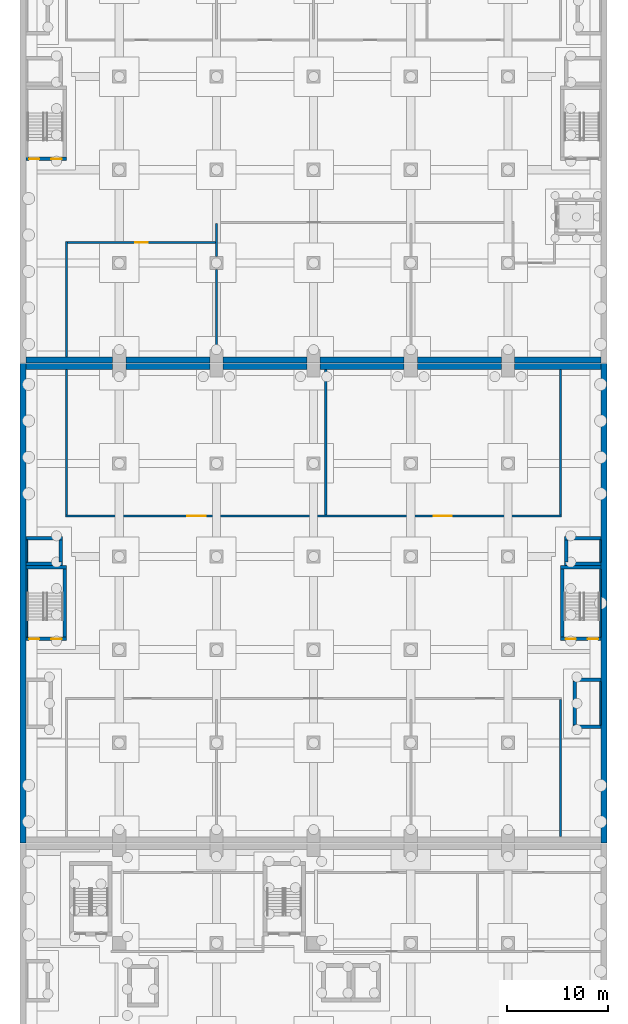
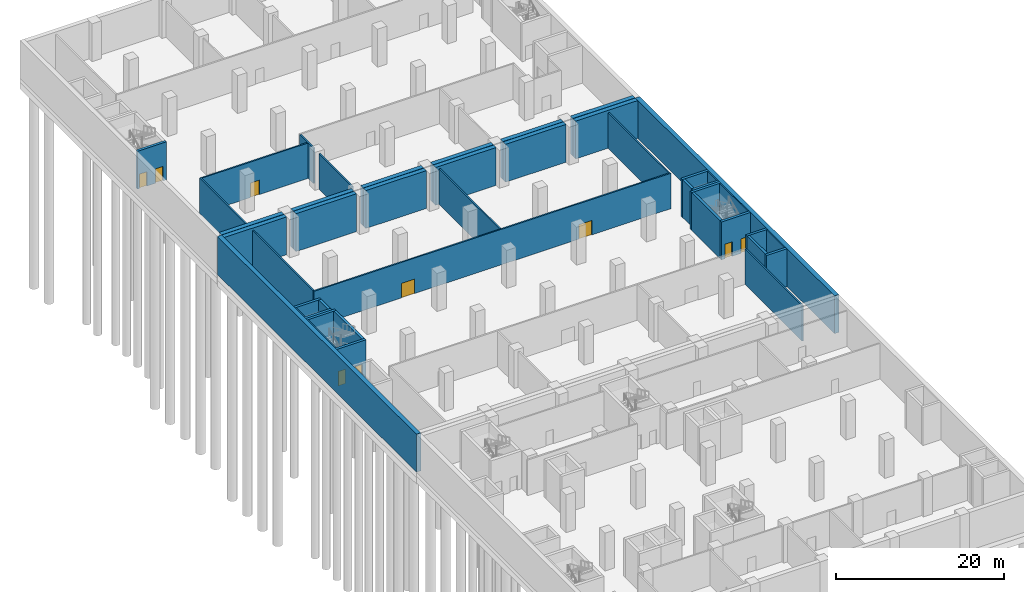
# One storey, part 12 of 33: 44 walls, 9 doors, 9 openings.
"""IFC4 building model written with IfcOpenShell, lengths in metres."""

from ifc_helpers import new_model, si_unit, direction, frame, frame_2d, origin, place, context, subcontext, project, spatial, rectangle, extrude, material, layer, layer_set, type_object, element, fill, save


model = new_model("IFC4")

# Units and contexts
model_context = context("Model", 3, precision=1e-05, world=origin(), true_north=direction((0.0, 1.0)))
body_context = subcontext(model_context, "Body", "Model", "MODEL_VIEW")
ifc_project = project(units=[si_unit("LENGTHUNIT", "METRE"), si_unit("AREAUNIT", "SQUARE_METRE"), si_unit("VOLUMEUNIT", "CUBIC_METRE"), si_unit("PLANEANGLEUNIT", "RADIAN"), si_unit("MASSUNIT", "GRAM", prefix="KILO")], contexts=[model_context])

# Site, building, storey
site_placement = place(None, origin())
site = spatial("IfcSite", under=ifc_project, at=site_placement, CompositionType="ELEMENT")
building_placement = place(site_placement, origin())
building = spatial("IfcBuilding", under=site, at=building_placement, Name="Nzadi Deep Aquarium and Research Tower", CompositionType="ELEMENT")
storey_placement = place(building_placement, frame((0.0, 0.0, -5.5)))
storey = spatial("IfcBuildingStorey", under=building, at=storey_placement, Name="B1", CompositionType="ELEMENT", Elevation=-5.5)

# Wall, openings, doors
ifc_material_1 = material(Name="Blockwork masonry", Category="masonry")
ifc_layer_1 = layer(ifc_material_1, 0.199951171875)
ifc_layer_set_1 = layer_set([ifc_layer_1], Name="Blockwork masonry")
wall_type_1 = type_object("IfcWallType", Name="Partition 200 EI 120", PredefinedType="PARTITIONING", material=ifc_layer_set_1)
wall_1_placement = place(storey_placement, frame((4.300048828125, 79.0, 0.0), z_axis=(0.0, 0.0, 1.0), x_axis=(1.0, 0.0, 0.0)))
wall_1 = element("IfcWall", 1, at=wall_1_placement, inside=storey, type_object=wall_type_1, Name="W-Z2-B1-P003", PredefinedType="PARTITIONING", context=body_context, shape_type="SweptSolid", body=[
    extrude(rectangle(XDim=49.0, YDim=0.199951171875, at=frame_2d((24.5, 0.0))), origin(), (0.0, 0.0, 1.0), 5.14990234375),
])
opening_1_placement = place(wall_1_placement, frame((12.034912109375, 0.0, 0.0)))
opening_1 = element("IfcOpeningElement", 2, at=opening_1_placement, cuts=wall_1, Name="Opening D002004", PredefinedType="OPENING", context=body_context, shape_type="SweptSolid", body=[
    extrude(rectangle(XDim=1.800048828125, YDim=2.10009765625, at=frame_2d((0.89990234375, 1.050048828125))), frame((0.0, 0.110107421875, 0.0), z_axis=(0.0, -1.0, 0.0), x_axis=(1.0, 0.0, 0.0)), (0.0, 0.0, 1.0), 0.22021484375),
])
opening_2_placement = place(wall_1_placement, frame((36.364990234375, 0.0, 0.0)))
opening_2 = element("IfcOpeningElement", 3, at=opening_2_placement, cuts=wall_1, Name="Opening D002005", PredefinedType="OPENING", context=body_context, shape_type="SweptSolid", body=[
    extrude(rectangle(XDim=1.800048828125, YDim=2.10009765625, at=frame_2d((0.89990234375, 1.050048828125))), frame((0.0, 0.110107421875, 0.0), z_axis=(0.0, -1.0, 0.0), x_axis=(1.0, 0.0, 0.0)), (0.0, 0.0, 1.0), 0.22021484375),
])
ifc_material_2 = material(Name="Fire-rated steel door", Category="steel")
ifc_layer_2 = layer(ifc_material_2, 0.050048828125)
ifc_layer_set_2 = layer_set([ifc_layer_2], Name="Fire-rated steel door")
door_type_1 = type_object("IfcDoorType", Name="Door 1800x2100 EI 120 double", OperationType="DOUBLE_DOOR_SINGLE_SWING", PredefinedType="DOOR", material=ifc_layer_set_2)
door_1_placement = place(opening_1_placement, origin())
door_1 = element("IfcDoor", 4, at=door_1_placement, inside=storey, type_object=door_type_1, Name="D002004", OperationType="DOUBLE_DOOR_SINGLE_SWING", OverallHeight=2.10009765625, OverallWidth=1.800048828125, PredefinedType="DOOR", context=body_context, shape_type="SweptSolid", body=[
    extrude(rectangle(XDim=1.800048828125, YDim=2.10009765625, at=frame_2d((0.89990234375, 1.050048828125))), frame((0.0, 0.02490234375, 0.0), z_axis=(0.0, -1.0, 0.0), x_axis=(1.0, 0.0, 0.0)), (0.0, 0.0, 1.0), 0.050048828125),
])
fill(opening_1, door_1)
door_2_placement = place(opening_2_placement, origin())
door_2 = element("IfcDoor", 5, at=door_2_placement, inside=storey, type_object=door_type_1, Name="D002005", OperationType="DOUBLE_DOOR_SINGLE_SWING", OverallHeight=2.10009765625, OverallWidth=1.800048828125, PredefinedType="DOOR", context=body_context, shape_type="SweptSolid", body=[
    extrude(rectangle(XDim=1.800048828125, YDim=2.10009765625, at=frame_2d((0.89990234375, 1.050048828125))), frame((0.0, 0.02490234375, 0.0), z_axis=(0.0, -1.0, 0.0), x_axis=(1.0, 0.0, 0.0)), (0.0, 0.0, 1.0), 0.050048828125),
])
fill(opening_2, door_2)

# Walls
for number, where, z_axis, x_axis, name in (
    (6, (4.39990234375, 79.10009765625, 0.0), (0.0, 0.0, 1.0), (0.0, 1.0, 0.0), "W-Z2-B1-P004"),
    (7, (30.0, 79.10009765625, 0.0), (0.0, 0.0, 1.0), (0.0, 1.0, 0.0), "W-Z2-B1-P007"),
):
    element("IfcWall", number, at=place(storey_placement, frame(where, z_axis=z_axis, x_axis=x_axis)), inside=storey, type_object=wall_type_1, Name=name, PredefinedType="PARTITIONING", context=body_context, shape_type="SweptSolid", body=[
        extrude(rectangle(XDim=14.3740234375, YDim=0.199951171875, at=frame_2d((7.18701171875, 0.0))), origin(), (0.0, 0.0, 1.0), 5.14990234375),
    ])
wall_2_placement = place(storey_placement, frame((53.199951171875, 47.325927734375, 0.0), z_axis=(0.0, 0.0, 1.0), x_axis=(0.0, 1.0, 0.0)))
element("IfcWall", 8, at=wall_2_placement, inside=storey, type_object=wall_type_1, Name="W-Z2-B1-P010", PredefinedType="PARTITIONING", context=body_context, shape_type="SweptSolid", body=[
    extrude(rectangle(XDim=13.573974609375, YDim=0.199951171875, at=frame_2d((6.787109375, 0.0))), origin(), (0.0, 0.0, 1.0), 5.14990234375),
])
wall_3_placement = place(storey_placement, frame((53.199951171875, 79.10009765625, 0.0), z_axis=(0.0, 0.0, 1.0), x_axis=(0.0, 1.0, 0.0)))
element("IfcWall", 9, at=wall_3_placement, inside=storey, type_object=wall_type_1, Name="W-Z2-B1-P011", PredefinedType="PARTITIONING", context=body_context, shape_type="SweptSolid", body=[
    extrude(rectangle(XDim=14.3740234375, YDim=0.199951171875, at=frame_2d((7.18701171875, 0.0))), origin(), (0.0, 0.0, 1.0), 5.14990234375),
])
wall_4_placement = place(storey_placement, frame((4.39990234375, 94.72607421875, 0.0), z_axis=(0.0, 0.0, 1.0), x_axis=(0.0, 1.0, 0.0)))
element("IfcWall", 10, at=wall_4_placement, inside=storey, type_object=wall_type_1, Name="W-Z3-B1-P001", PredefinedType="PARTITIONING", context=body_context, shape_type="SweptSolid", body=[
    extrude(rectangle(XDim=11.3740234375, YDim=0.199951171875, at=frame_2d((5.68701171875, 0.0))), origin(), (0.0, 0.0, 1.0), 5.14990234375),
])

# Wall, opening, door
wall_5_placement = place(storey_placement, frame((4.5, 106.0, 0.0), z_axis=(0.0, 0.0, 1.0), x_axis=(1.0, 0.0, 0.0)))
wall_5 = element("IfcWall", 11, at=wall_5_placement, inside=storey, type_object=wall_type_1, Name="W-Z3-B1-P004", PredefinedType="PARTITIONING", context=body_context, shape_type="SweptSolid", body=[
    extrude(rectangle(XDim=14.60009765625, YDim=0.199951171875, at=frame_2d((7.300048828125, 0.0))), origin(), (0.0, 0.0, 1.0), 5.14990234375),
])
opening_3_placement = place(wall_5_placement, frame((6.699951171875, 0.0, 0.0)))
opening_3 = element("IfcOpeningElement", 12, at=opening_3_placement, cuts=wall_5, Name="Opening D003001", PredefinedType="OPENING", context=body_context, shape_type="SweptSolid", body=[
    extrude(rectangle(XDim=1.199951171875, YDim=2.10009765625, at=frame_2d((0.60009765625, 1.050048828125))), frame((0.0, 0.110107421875, 0.0), z_axis=(0.0, -1.0, 0.0), x_axis=(1.0, 0.0, 0.0)), (0.0, 0.0, 1.0), 0.22021484375),
])
ifc_material_3 = material(Name="Fire-rated steel door", Category="steel")
ifc_layer_3 = layer(ifc_material_3, 0.050048828125)
ifc_layer_set_3 = layer_set([ifc_layer_3], Name="Fire-rated steel door")
door_type_2 = type_object("IfcDoorType", Name="Door 1200x2100 EI 120 single", OperationType="SINGLE_SWING_LEFT", PredefinedType="DOOR", material=ifc_layer_set_3)
door_3_placement = place(opening_3_placement, origin())
door_3 = element("IfcDoor", 13, at=door_3_placement, inside=storey, type_object=door_type_2, Name="D003001", OperationType="SINGLE_SWING_RIGHT", OverallHeight=2.10009765625, OverallWidth=1.199951171875, PredefinedType="DOOR", context=body_context, shape_type="SweptSolid", body=[
    extrude(rectangle(XDim=1.199951171875, YDim=2.10009765625, at=frame_2d((0.60009765625, 1.050048828125))), frame((0.0, 0.02490234375, 0.0), z_axis=(0.0, -1.0, 0.0), x_axis=(1.0, 0.0, 0.0)), (0.0, 0.0, 1.0), 0.050048828125),
])
fill(opening_3, door_3)

# Walls
wall_6_placement = place(storey_placement, frame((19.199951171875, 95.449951171875, 0.0), z_axis=(0.0, 0.0, 1.0), x_axis=(0.0, 1.0, 0.0)))
element("IfcWall", 14, at=wall_6_placement, inside=storey, type_object=wall_type_1, Name="W-Z3-B1-P005", PredefinedType="PARTITIONING", context=body_context, shape_type="SweptSolid", body=[
    extrude(rectangle(XDim=7.900146484375, YDim=0.199951171875, at=frame_2d((3.9501953125, 0.0))), origin(), (0.0, 0.0, 1.0), 5.14990234375),
])
wall_7_placement = place(storey_placement, frame((19.199951171875, 104.64990234375, 0.0), z_axis=(0.0, 0.0, 1.0), x_axis=(0.0, 1.0, 0.0)))
element("IfcWall", 15, at=wall_7_placement, inside=storey, type_object=wall_type_1, Name="W-Z3-B1-P006", PredefinedType="PARTITIONING", context=body_context, shape_type="SweptSolid", body=[
    extrude(rectangle(XDim=3.25, YDim=0.199951171875, at=frame_2d((1.625, 0.0))), origin(), (0.0, 0.0, 1.0), 5.14990234375),
])
ifc_material_4 = material(Name="Concrete C35/45", Category="concrete")
ifc_layer_4 = layer(ifc_material_4, 0.14990234375)
ifc_layer_set_4 = layer_set([ifc_layer_4], Name="Concrete C35/45")
wall_type_2 = type_object("IfcWallType", Name="RC core wall 150", PredefinedType="SHEAR", material=ifc_layer_set_4)
for number, where, z_axis, x_axis, name in (
    (16, (0.47509765625, 67.050048828125, 0.0), (0.0, 0.0, 1.0), (0.0, 1.0, 0.0), "W-CORE-ST-Z2-W-B1-W"),
    (17, (57.125, 67.050048828125, 0.0), (0.0, 0.0, 1.0), (0.0, 1.0, 0.0), "W-CORE-ST-Z2-E-B1-E"),
):
    element("IfcWall", number, at=place(storey_placement, frame(where, z_axis=z_axis, x_axis=x_axis)), inside=storey, type_object=wall_type_2, Name=name, PredefinedType="SHEAR", context=body_context, shape_type="SweptSolid", body=[
        extrude(rectangle(XDim=6.699951171875, YDim=0.14990234375, at=frame_2d((3.35009765625, 0.0))), origin(), (0.0, 0.0, 1.0), 5.5),
    ])
for number, where, z_axis, x_axis, name in (
    (18, (0.47509765625, 74.449951171875, 0.0), (0.0, 0.0, 1.0), (0.0, 1.0, 0.0), "W-CORE-PL3-B1-W"),
    (19, (57.125, 74.449951171875, 0.0), (0.0, 0.0, 1.0), (0.0, 1.0, 0.0), "W-CORE-PL4-B1-E"),
):
    element("IfcWall", number, at=place(storey_placement, frame(where, z_axis=z_axis, x_axis=x_axis)), inside=storey, type_object=wall_type_2, Name=name, PredefinedType="SHEAR", context=body_context, shape_type="SweptSolid", body=[
        extrude(rectangle(XDim=2.199951171875, YDim=0.14990234375, at=frame_2d((1.10009765625, 0.0))), origin(), (0.0, 0.0, 1.0), 5.5),
    ])
wall_8_placement = place(storey_placement, frame((57.125, 58.35009765625, 0.0), z_axis=(0.0, 0.0, 1.0), x_axis=(0.0, 1.0, 0.0)))
element("IfcWall", 20, at=wall_8_placement, inside=storey, type_object=wall_type_2, Name="W-CORE-RS-Z2-E-B1-E", PredefinedType="SHEAR", context=body_context, shape_type="SweptSolid", body=[
    extrude(rectangle(XDim=4.2998046875, YDim=0.14990234375, at=frame_2d((2.14990234375, 0.0))), origin(), (0.0, 0.0, 1.0), 5.5),
])

# Wall, openings, doors
ifc_material_5 = material(Name="Concrete C35/45", Category="concrete")
ifc_layer_5 = layer(ifc_material_5, 0.35009765625)
ifc_layer_set_5 = layer_set([ifc_layer_5], Name="Concrete C35/45")
wall_type_3 = type_object("IfcWallType", Name="RC core wall 350, 5.50 to 6.50 m high", PredefinedType="SHEAR", material=ifc_layer_set_5)
wall_9_placement = place(storey_placement, frame((0.39990234375, 66.875, 0.0), z_axis=(0.0, 0.0, 1.0), x_axis=(1.0, 0.0, 0.0)))
wall_9 = element("IfcWall", 21, at=wall_9_placement, inside=storey, type_object=wall_type_3, Name="W-CORE-ST-Z2-W-B1-S", PredefinedType="SHEAR", context=body_context, shape_type="SweptSolid", body=[
    extrude(rectangle(XDim=4.0, YDim=0.35009765625, at=frame_2d((2.0, 0.0))), origin(), (0.0, 0.0, 1.0), 5.5),
])
opening_4_placement = place(wall_9_placement, frame((0.300048828125, 0.0, 0.0)))
opening_4 = element("IfcOpeningElement", 22, at=opening_4_placement, cuts=wall_9, Name="Opening DS-Z2-W-B1A", PredefinedType="OPENING", context=body_context, shape_type="SweptSolid", body=[
    extrude(rectangle(XDim=1.0, YDim=2.10009765625, at=frame_2d((0.5, 1.050048828125))), frame((0.0, 0.18505859375, 0.0), z_axis=(0.0, -1.0, 0.0), x_axis=(1.0, 0.0, 0.0)), (0.0, 0.0, 1.0), 0.3701171875),
])
opening_5_placement = place(wall_9_placement, frame((2.5, 0.0, 0.0)))
opening_5 = element("IfcOpeningElement", 23, at=opening_5_placement, cuts=wall_9, Name="Opening DS-Z2-W-B1B", PredefinedType="OPENING", context=body_context, shape_type="SweptSolid", body=[
    extrude(rectangle(XDim=1.0, YDim=2.10009765625, at=frame_2d((0.5, 1.050048828125))), frame((0.0, 0.18505859375, 0.0), z_axis=(0.0, -1.0, 0.0), x_axis=(1.0, 0.0, 0.0)), (0.0, 0.0, 1.0), 0.3701171875),
])
ifc_material_6 = material(Name="Steel, powder coated", Category="steel")
door_type_3 = type_object("IfcDoorType", Name="STAIR DOOR 1000x2100 EI 60", OperationType="SINGLE_SWING_LEFT", PredefinedType="DOOR", material=ifc_material_6)
door_4_placement = place(opening_4_placement, origin())
door_4 = element("IfcDoor", 24, at=door_4_placement, inside=storey, type_object=door_type_3, Name="Stair door ST-Z2-W B1 A", OperationType="SINGLE_SWING_RIGHT", OverallHeight=2.10009765625, OverallWidth=1.0, PredefinedType="DOOR", context=body_context, shape_type="SweptSolid", body=[
    extrude(rectangle(XDim=1.0, YDim=2.10009765625, at=frame_2d((0.5, 1.050048828125))), frame((0.0, 0.02490234375, 0.0), z_axis=(0.0, -1.0, 0.0), x_axis=(1.0, 0.0, 0.0)), (0.0, 0.0, 1.0), 0.050048828125),
])
fill(opening_4, door_4)
door_5_placement = place(opening_5_placement, origin())
door_5 = element("IfcDoor", 25, at=door_5_placement, inside=storey, type_object=door_type_3, Name="Stair door ST-Z2-W B1 B", OperationType="SINGLE_SWING_LEFT", OverallHeight=2.10009765625, OverallWidth=1.0, PredefinedType="DOOR", context=body_context, shape_type="SweptSolid", body=[
    extrude(rectangle(XDim=1.0, YDim=2.10009765625, at=frame_2d((0.5, 1.050048828125))), frame((0.0, 0.02490234375, 0.0), z_axis=(0.0, -1.0, 0.0), x_axis=(1.0, 0.0, 0.0)), (0.0, 0.0, 1.0), 0.050048828125),
])
fill(opening_5, door_5)

# Walls
wall_10_placement = place(storey_placement, frame((0.39990234375, 73.925048828125, 0.0), z_axis=(0.0, 0.0, 1.0), x_axis=(1.0, 0.0, 0.0)))
element("IfcWall", 26, at=wall_10_placement, inside=storey, type_object=wall_type_3, Name="W-CORE-ST-Z2-W-B1-N", PredefinedType="SHEAR", context=body_context, shape_type="SweptSolid", body=[
    extrude(rectangle(XDim=4.0, YDim=0.35009765625, at=frame_2d((2.0, 0.0))), origin(), (0.0, 0.0, 1.0), 5.5),
])
wall_11_placement = place(storey_placement, frame((4.22509765625, 67.050048828125, 0.0), z_axis=(0.0, 0.0, 1.0), x_axis=(0.0, 1.0, 0.0)))
element("IfcWall", 27, at=wall_11_placement, inside=storey, type_object=wall_type_3, Name="W-CORE-ST-Z2-W-B1-E", PredefinedType="SHEAR", context=body_context, shape_type="SweptSolid", body=[
    extrude(rectangle(XDim=6.699951171875, YDim=0.35009765625, at=frame_2d((3.35009765625, 0.0))), origin(), (0.0, 0.0, 1.0), 5.5),
])

# Wall, openings, doors
wall_12_placement = place(storey_placement, frame((53.199951171875, 66.875, 0.0), z_axis=(0.0, 0.0, 1.0), x_axis=(1.0, 0.0, 0.0)))
wall_12 = element("IfcWall", 28, at=wall_12_placement, inside=storey, type_object=wall_type_3, Name="W-CORE-ST-Z2-E-B1-S", PredefinedType="SHEAR", context=body_context, shape_type="SweptSolid", body=[
    extrude(rectangle(XDim=4.0, YDim=0.35009765625, at=frame_2d((2.0, 0.0))), origin(), (0.0, 0.0, 1.0), 5.5),
])
opening_6_placement = place(wall_12_placement, frame((0.5, 0.0, 0.0)))
opening_6 = element("IfcOpeningElement", 29, at=opening_6_placement, cuts=wall_12, Name="Opening DS-Z2-E-B1A", PredefinedType="OPENING", context=body_context, shape_type="SweptSolid", body=[
    extrude(rectangle(XDim=1.0, YDim=2.10009765625, at=frame_2d((0.5, 1.050048828125))), frame((0.0, 0.18505859375, 0.0), z_axis=(0.0, -1.0, 0.0), x_axis=(1.0, 0.0, 0.0)), (0.0, 0.0, 1.0), 0.3701171875),
])
opening_7_placement = place(wall_12_placement, frame((2.699951171875, 0.0, 0.0)))
opening_7 = element("IfcOpeningElement", 30, at=opening_7_placement, cuts=wall_12, Name="Opening DS-Z2-E-B1B", PredefinedType="OPENING", context=body_context, shape_type="SweptSolid", body=[
    extrude(rectangle(XDim=1.0, YDim=2.10009765625, at=frame_2d((0.5, 1.050048828125))), frame((0.0, 0.18505859375, 0.0), z_axis=(0.0, -1.0, 0.0), x_axis=(1.0, 0.0, 0.0)), (0.0, 0.0, 1.0), 0.3701171875),
])
door_6_placement = place(opening_6_placement, origin())
door_6 = element("IfcDoor", 31, at=door_6_placement, inside=storey, type_object=door_type_3, Name="Stair door ST-Z2-E B1 A", OperationType="SINGLE_SWING_RIGHT", OverallHeight=2.10009765625, OverallWidth=1.0, PredefinedType="DOOR", context=body_context, shape_type="SweptSolid", body=[
    extrude(rectangle(XDim=1.0, YDim=2.10009765625, at=frame_2d((0.5, 1.050048828125))), frame((0.0, 0.02490234375, 0.0), z_axis=(0.0, -1.0, 0.0), x_axis=(1.0, 0.0, 0.0)), (0.0, 0.0, 1.0), 0.050048828125),
])
fill(opening_6, door_6)
door_7_placement = place(opening_7_placement, origin())
door_7 = element("IfcDoor", 32, at=door_7_placement, inside=storey, type_object=door_type_3, Name="Stair door ST-Z2-E B1 B", OperationType="SINGLE_SWING_LEFT", OverallHeight=2.10009765625, OverallWidth=1.0, PredefinedType="DOOR", context=body_context, shape_type="SweptSolid", body=[
    extrude(rectangle(XDim=1.0, YDim=2.10009765625, at=frame_2d((0.5, 1.050048828125))), frame((0.0, 0.02490234375, 0.0), z_axis=(0.0, -1.0, 0.0), x_axis=(1.0, 0.0, 0.0)), (0.0, 0.0, 1.0), 0.050048828125),
])
fill(opening_7, door_7)

# Walls
wall_13_placement = place(storey_placement, frame((53.199951171875, 73.925048828125, 0.0), z_axis=(0.0, 0.0, 1.0), x_axis=(1.0, 0.0, 0.0)))
element("IfcWall", 33, at=wall_13_placement, inside=storey, type_object=wall_type_3, Name="W-CORE-ST-Z2-E-B1-N", PredefinedType="SHEAR", context=body_context, shape_type="SweptSolid", body=[
    extrude(rectangle(XDim=4.0, YDim=0.35009765625, at=frame_2d((2.0, 0.0))), origin(), (0.0, 0.0, 1.0), 5.5),
])
wall_14_placement = place(storey_placement, frame((53.375, 67.050048828125, 0.0), z_axis=(0.0, 0.0, 1.0), x_axis=(0.0, 1.0, 0.0)))
element("IfcWall", 34, at=wall_14_placement, inside=storey, type_object=wall_type_3, Name="W-CORE-ST-Z2-E-B1-W", PredefinedType="SHEAR", context=body_context, shape_type="SweptSolid", body=[
    extrude(rectangle(XDim=6.699951171875, YDim=0.35009765625, at=frame_2d((3.35009765625, 0.0))), origin(), (0.0, 0.0, 1.0), 5.5),
])
for number, where, z_axis, x_axis, name in (
    (35, (0.39990234375, 74.27490234375, 0.0), (0.0, 0.0, 1.0), (1.0, 0.0, 0.0), "W-CORE-PL3-B1-S"),
    (36, (0.39990234375, 76.824951171875, 0.0), (0.0, 0.0, 1.0), (1.0, 0.0, 0.0), "W-CORE-PL3-B1-N"),
):
    element("IfcWall", number, at=place(storey_placement, frame(where, z_axis=z_axis, x_axis=x_axis)), inside=storey, type_object=wall_type_3, Name=name, PredefinedType="SHEAR", context=body_context, shape_type="SweptSolid", body=[
        extrude(rectangle(XDim=3.60009765625, YDim=0.35009765625, at=frame_2d((1.800048828125, 0.0))), origin(), (0.0, 0.0, 1.0), 5.5),
    ])
wall_15_placement = place(storey_placement, frame((3.824951171875, 74.449951171875, 0.0), z_axis=(0.0, 0.0, 1.0), x_axis=(0.0, 1.0, 0.0)))
element("IfcWall", 37, at=wall_15_placement, inside=storey, type_object=wall_type_3, Name="W-CORE-PL3-B1-E", PredefinedType="SHEAR", context=body_context, shape_type="SweptSolid", body=[
    extrude(rectangle(XDim=2.199951171875, YDim=0.35009765625, at=frame_2d((1.10009765625, 0.0))), origin(), (0.0, 0.0, 1.0), 5.5),
])
for number, where, z_axis, x_axis, name in (
    (38, (53.60009765625, 74.27490234375, 0.0), (0.0, 0.0, 1.0), (1.0, 0.0, 0.0), "W-CORE-PL4-B1-S"),
    (39, (53.60009765625, 76.824951171875, 0.0), (0.0, 0.0, 1.0), (1.0, 0.0, 0.0), "W-CORE-PL4-B1-N"),
):
    element("IfcWall", number, at=place(storey_placement, frame(where, z_axis=z_axis, x_axis=x_axis)), inside=storey, type_object=wall_type_3, Name=name, PredefinedType="SHEAR", context=body_context, shape_type="SweptSolid", body=[
        extrude(rectangle(XDim=3.599853515625, YDim=0.35009765625, at=frame_2d((1.7998046875, 0.0))), origin(), (0.0, 0.0, 1.0), 5.5),
    ])
wall_16_placement = place(storey_placement, frame((53.77490234375, 74.449951171875, 0.0), z_axis=(0.0, 0.0, 1.0), x_axis=(0.0, 1.0, 0.0)))
element("IfcWall", 40, at=wall_16_placement, inside=storey, type_object=wall_type_3, Name="W-CORE-PL4-B1-W", PredefinedType="SHEAR", context=body_context, shape_type="SweptSolid", body=[
    extrude(rectangle(XDim=2.199951171875, YDim=0.35009765625, at=frame_2d((1.10009765625, 0.0))), origin(), (0.0, 0.0, 1.0), 5.5),
])
for number, where, z_axis, x_axis, name in (
    (41, (54.39990234375, 58.175048828125, 0.0), (0.0, 0.0, 1.0), (1.0, 0.0, 0.0), "W-CORE-RS-Z2-E-B1-S"),
    (42, (54.39990234375, 62.824951171875, 0.0), (0.0, 0.0, 1.0), (1.0, 0.0, 0.0), "W-CORE-RS-Z2-E-B1-N"),
):
    element("IfcWall", number, at=place(storey_placement, frame(where, z_axis=z_axis, x_axis=x_axis)), inside=storey, type_object=wall_type_3, Name=name, PredefinedType="SHEAR", context=body_context, shape_type="SweptSolid", body=[
        extrude(rectangle(XDim=2.800048828125, YDim=0.35009765625, at=frame_2d((1.39990234375, 0.0))), origin(), (0.0, 0.0, 1.0), 5.5),
    ])
wall_17_placement = place(storey_placement, frame((54.574951171875, 58.35009765625, 0.0), z_axis=(0.0, 0.0, 1.0), x_axis=(0.0, 1.0, 0.0)))
element("IfcWall", 43, at=wall_17_placement, inside=storey, type_object=wall_type_3, Name="W-CORE-RS-Z2-E-B1-W", PredefinedType="SHEAR", context=body_context, shape_type="SweptSolid", body=[
    extrude(rectangle(XDim=4.2998046875, YDim=0.35009765625, at=frame_2d((2.14990234375, 0.0))), origin(), (0.0, 0.0, 1.0), 5.5),
])

# Wall, openings, doors
wall_18_placement = place(storey_placement, frame((0.39990234375, 114.27490234375, 0.0), z_axis=(0.0, 0.0, 1.0), x_axis=(1.0, 0.0, 0.0)))
wall_18 = element("IfcWall", 44, at=wall_18_placement, inside=storey, type_object=wall_type_3, Name="W-CORE-ST-Z3-W-B1-S", PredefinedType="SHEAR", context=body_context, shape_type="SweptSolid", body=[
    extrude(rectangle(XDim=4.0, YDim=0.35009765625, at=frame_2d((2.0, 0.0))), origin(), (0.0, 0.0, 1.0), 5.5),
])
opening_8_placement = place(wall_18_placement, frame((0.300048828125, 0.0, 0.0)))
opening_8 = element("IfcOpeningElement", 45, at=opening_8_placement, cuts=wall_18, Name="Opening DS-Z3-W-B1A", PredefinedType="OPENING", context=body_context, shape_type="SweptSolid", body=[
    extrude(rectangle(XDim=1.0, YDim=2.10009765625, at=frame_2d((0.5, 1.050048828125))), frame((0.0, 0.18505859375, 0.0), z_axis=(0.0, -1.0, 0.0), x_axis=(1.0, 0.0, 0.0)), (0.0, 0.0, 1.0), 0.3701171875),
])
opening_9_placement = place(wall_18_placement, frame((2.5, 0.0, 0.0)))
opening_9 = element("IfcOpeningElement", 46, at=opening_9_placement, cuts=wall_18, Name="Opening DS-Z3-W-B1B", PredefinedType="OPENING", context=body_context, shape_type="SweptSolid", body=[
    extrude(rectangle(XDim=1.0, YDim=2.10009765625, at=frame_2d((0.5, 1.050048828125))), frame((0.0, 0.18505859375, 0.0), z_axis=(0.0, -1.0, 0.0), x_axis=(1.0, 0.0, 0.0)), (0.0, 0.0, 1.0), 0.3701171875),
])
door_8_placement = place(opening_8_placement, origin())
door_8 = element("IfcDoor", 47, at=door_8_placement, inside=storey, type_object=door_type_3, Name="Stair door ST-Z3-W B1 A", OperationType="SINGLE_SWING_RIGHT", OverallHeight=2.10009765625, OverallWidth=1.0, PredefinedType="DOOR", context=body_context, shape_type="SweptSolid", body=[
    extrude(rectangle(XDim=1.0, YDim=2.10009765625, at=frame_2d((0.5, 1.050048828125))), frame((0.0, 0.02490234375, 0.0), z_axis=(0.0, -1.0, 0.0), x_axis=(1.0, 0.0, 0.0)), (0.0, 0.0, 1.0), 0.050048828125),
])
fill(opening_8, door_8)
door_9_placement = place(opening_9_placement, origin())
door_9 = element("IfcDoor", 48, at=door_9_placement, inside=storey, type_object=door_type_3, Name="Stair door ST-Z3-W B1 B", OperationType="SINGLE_SWING_LEFT", OverallHeight=2.10009765625, OverallWidth=1.0, PredefinedType="DOOR", context=body_context, shape_type="SweptSolid", body=[
    extrude(rectangle(XDim=1.0, YDim=2.10009765625, at=frame_2d((0.5, 1.050048828125))), frame((0.0, 0.02490234375, 0.0), z_axis=(0.0, -1.0, 0.0), x_axis=(1.0, 0.0, 0.0)), (0.0, 0.0, 1.0), 0.050048828125),
])
fill(opening_9, door_9)

# Walls
ifc_material_7 = material(Name="Concrete C40/50", Category="concrete")
ifc_layer_6 = layer(ifc_material_7, 0.60009765625)
ifc_layer_set_6 = layer_set([ifc_layer_6], Name="Concrete C40/50")
wall_type_4 = type_object("IfcWallType", Name="RC retaining wall 600 C40/50", PredefinedType="SOLIDWALL", material=ifc_layer_set_6)
for number, where, z_axis, x_axis, name in (
    (49, (0.1005859375, 46.719970703125, 0.0), (0.0, 0.0, 1.0), (0.0, 1.0, 0.0), "W-RET-Z2-W"),
    (50, (57.49951171875, 46.719970703125, 0.0), (0.0, 0.0, 1.0), (0.0, 1.0, 0.0), "W-RET-Z2-E"),
):
    element("IfcWall", number, at=place(storey_placement, frame(where, z_axis=z_axis, x_axis=x_axis)), inside=storey, type_object=wall_type_4, Name=name, PredefinedType="SOLIDWALL", context=body_context, shape_type="SweptSolid", body=[
        extrude(rectangle(XDim=47.360107421875, YDim=0.60009765625, at=frame_2d((23.68017578125, 0.0))), origin(), (0.0, 0.0, 1.0), 5.5),
    ])
wall_19_placement = place(storey_placement, frame((0.39990234375, 93.780029296875, 0.0), z_axis=(0.0, 0.0, 1.0), x_axis=(1.0, 0.0, 0.0)))
element("IfcWall", 51, at=wall_19_placement, inside=storey, type_object=wall_type_4, Name="W-RET-Z2-JN-1", PredefinedType="SOLIDWALL", context=body_context, shape_type="SweptSolid", body=[
    extrude(rectangle(XDim=8.550048828125, YDim=0.60009765625, at=frame_2d((4.27490234375, 0.0))), origin(), (0.0, 0.0, 1.0), 5.5),
])
wall_20_placement = place(storey_placement, frame((10.25, 93.780029296875, 0.0), z_axis=(0.0, 0.0, 1.0), x_axis=(1.0, 0.0, 0.0)))
element("IfcWall", 52, at=wall_20_placement, inside=storey, type_object=wall_type_4, Name="W-RET-Z2-JN-2", PredefinedType="SOLIDWALL", context=body_context, shape_type="SweptSolid", body=[
    extrude(rectangle(XDim=8.300048828125, YDim=0.60009765625, at=frame_2d((4.14990234375, 0.0))), origin(), (0.0, 0.0, 1.0), 5.5),
])
wall_21_placement = place(storey_placement, frame((19.85009765625, 93.780029296875, 0.0), z_axis=(0.0, 0.0, 1.0), x_axis=(1.0, 0.0, 0.0)))
element("IfcWall", 53, at=wall_21_placement, inside=storey, type_object=wall_type_4, Name="W-RET-Z2-JN-3", PredefinedType="SOLIDWALL", context=body_context, shape_type="SweptSolid", body=[
    extrude(rectangle(XDim=8.2998046875, YDim=0.60009765625, at=frame_2d((4.14990234375, 0.0))), origin(), (0.0, 0.0, 1.0), 5.5),
])
for number, where, z_axis, x_axis, name in (
    (54, (29.449951171875, 93.780029296875, 0.0), (0.0, 0.0, 1.0), (1.0, 0.0, 0.0), "W-RET-Z2-JN-4"),
    (55, (39.050048828125, 93.780029296875, 0.0), (0.0, 0.0, 1.0), (1.0, 0.0, 0.0), "W-RET-Z2-JN-5"),
):
    element("IfcWall", number, at=place(storey_placement, frame(where, z_axis=z_axis, x_axis=x_axis)), inside=storey, type_object=wall_type_4, Name=name, PredefinedType="SOLIDWALL", context=body_context, shape_type="SweptSolid", body=[
        extrude(rectangle(XDim=8.300048828125, YDim=0.60009765625, at=frame_2d((4.14990234375, 0.0))), origin(), (0.0, 0.0, 1.0), 5.5),
    ])
for number, where, z_axis, x_axis, name in (
    (56, (48.64990234375, 93.780029296875, 0.0), (0.0, 0.0, 1.0), (1.0, 0.0, 0.0), "W-RET-Z2-JN-6"),
    (57, (0.39990234375, 94.419921875, 0.0), (0.0, 0.0, 1.0), (1.0, 0.0, 0.0), "W-RET-Z3-JS-1"),
):
    element("IfcWall", number, at=place(storey_placement, frame(where, z_axis=z_axis, x_axis=x_axis)), inside=storey, type_object=wall_type_4, Name=name, PredefinedType="SOLIDWALL", context=body_context, shape_type="SweptSolid", body=[
        extrude(rectangle(XDim=8.550048828125, YDim=0.60009765625, at=frame_2d((4.27490234375, 0.0))), origin(), (0.0, 0.0, 1.0), 5.5),
    ])
wall_22_placement = place(storey_placement, frame((10.25, 94.419921875, 0.0), z_axis=(0.0, 0.0, 1.0), x_axis=(1.0, 0.0, 0.0)))
element("IfcWall", 58, at=wall_22_placement, inside=storey, type_object=wall_type_4, Name="W-RET-Z3-JS-2", PredefinedType="SOLIDWALL", context=body_context, shape_type="SweptSolid", body=[
    extrude(rectangle(XDim=8.300048828125, YDim=0.60009765625, at=frame_2d((4.14990234375, 0.0))), origin(), (0.0, 0.0, 1.0), 5.5),
])
wall_23_placement = place(storey_placement, frame((19.85009765625, 94.419921875, 0.0), z_axis=(0.0, 0.0, 1.0), x_axis=(1.0, 0.0, 0.0)))
element("IfcWall", 59, at=wall_23_placement, inside=storey, type_object=wall_type_4, Name="W-RET-Z3-JS-3", PredefinedType="SOLIDWALL", context=body_context, shape_type="SweptSolid", body=[
    extrude(rectangle(XDim=8.2998046875, YDim=0.60009765625, at=frame_2d((4.14990234375, 0.0))), origin(), (0.0, 0.0, 1.0), 5.5),
])
for number, where, z_axis, x_axis, name in (
    (60, (29.449951171875, 94.419921875, 0.0), (0.0, 0.0, 1.0), (1.0, 0.0, 0.0), "W-RET-Z3-JS-4"),
    (61, (39.050048828125, 94.419921875, 0.0), (0.0, 0.0, 1.0), (1.0, 0.0, 0.0), "W-RET-Z3-JS-5"),
):
    element("IfcWall", number, at=place(storey_placement, frame(where, z_axis=z_axis, x_axis=x_axis)), inside=storey, type_object=wall_type_4, Name=name, PredefinedType="SOLIDWALL", context=body_context, shape_type="SweptSolid", body=[
        extrude(rectangle(XDim=8.300048828125, YDim=0.60009765625, at=frame_2d((4.14990234375, 0.0))), origin(), (0.0, 0.0, 1.0), 5.5),
    ])
wall_24_placement = place(storey_placement, frame((48.64990234375, 94.419921875, 0.0), z_axis=(0.0, 0.0, 1.0), x_axis=(1.0, 0.0, 0.0)))
element("IfcWall", 62, at=wall_24_placement, inside=storey, type_object=wall_type_4, Name="W-RET-Z3-JS-6", PredefinedType="SOLIDWALL", context=body_context, shape_type="SweptSolid", body=[
    extrude(rectangle(XDim=8.550048828125, YDim=0.60009765625, at=frame_2d((4.27490234375, 0.0))), origin(), (0.0, 0.0, 1.0), 5.5),
])

save(model, "model.ifc")
